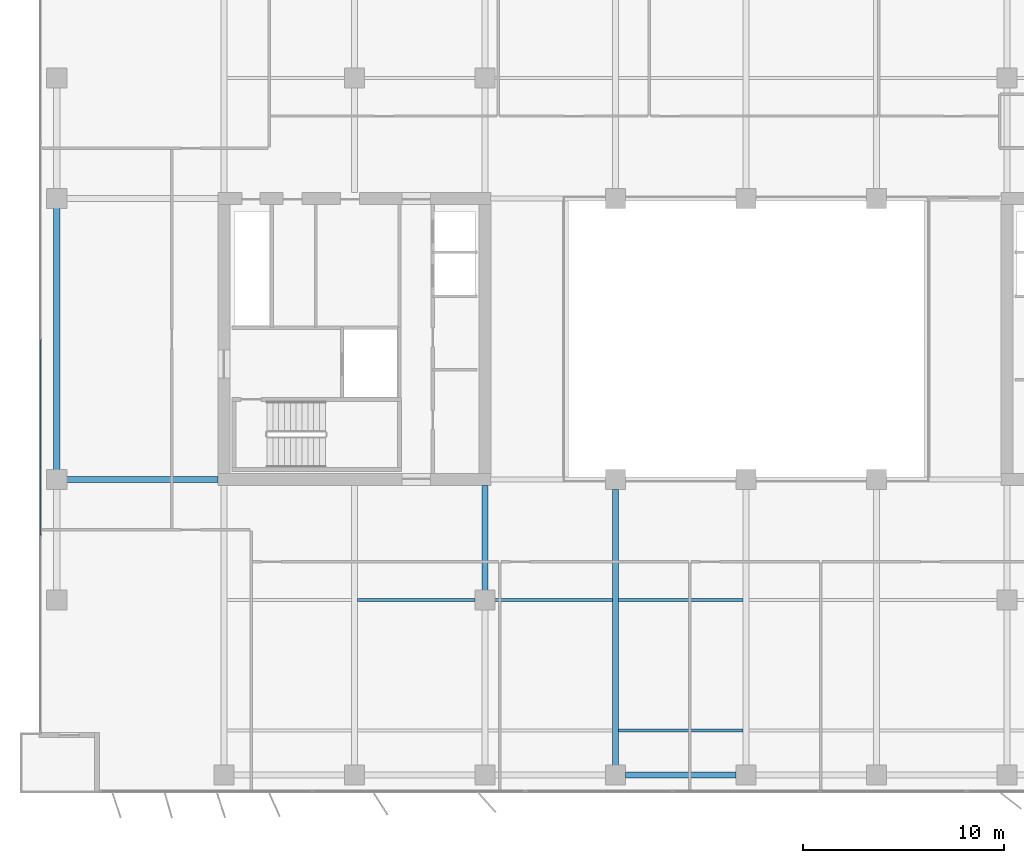
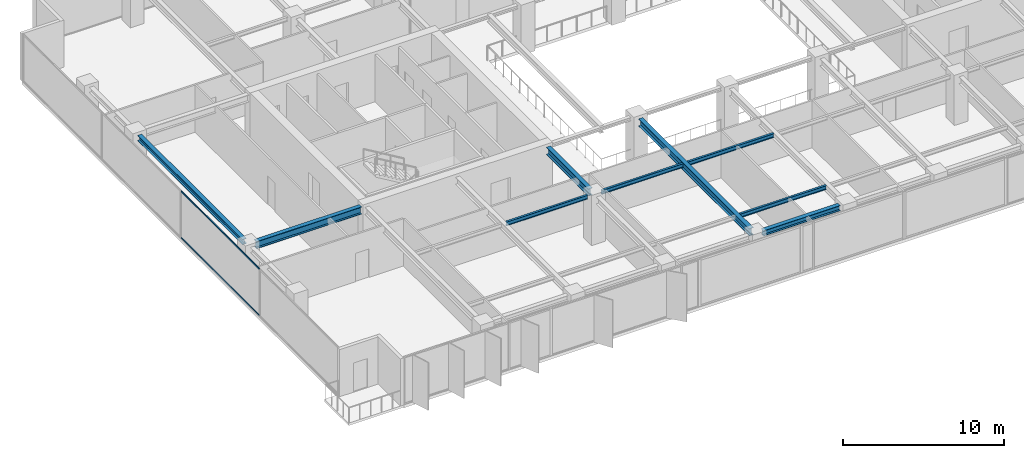
# One storey, part 3 of 22: 9 beams, 2 members, 1 element without a shape of its own.
"""IFC4 building model written with IfcOpenShell, lengths in metres."""

from ifc_helpers import new_model, si_unit, direction, frame, origin, origin_2d, place, context, subcontext, project, spatial, rectangle, i_section, extrude, material, layer, layer_set, material_profile, profile_set, type_object, element, aggregate, save


model = new_model("IFC4")

# Units and contexts
model_context = context("Model", 3, precision=1e-05, world=origin(), true_north=direction((0.0, 1.0)))
body_context = subcontext(model_context, "Body", "Model", "MODEL_VIEW")
ifc_project = project(units=[si_unit("LENGTHUNIT", "METRE"), si_unit("AREAUNIT", "SQUARE_METRE"), si_unit("VOLUMEUNIT", "CUBIC_METRE"), si_unit("PLANEANGLEUNIT", "RADIAN"), si_unit("MASSUNIT", "GRAM", prefix="KILO")], contexts=[model_context])

# Site, building, storey
site_placement = place(None, origin())
site = spatial("IfcSite", under=ifc_project, at=site_placement, CompositionType="ELEMENT")
building_placement = place(site_placement, origin())
building = spatial("IfcBuilding", under=site, at=building_placement, Name="Putna Gate Headquarters", CompositionType="ELEMENT")
storey_placement = place(building_placement, frame((0.0, 0.0, 167.0)))
storey = spatial("IfcBuildingStorey", under=building, at=storey_placement, Name="L41", CompositionType="ELEMENT", Elevation=167.0)

# Beams
ifc_material_1 = material(Name="Steel S355J2", Category="steel")
ifc_material_profile_1 = material_profile(ifc_material_1, i_section(OverallWidth=0.300048828125, OverallDepth=0.550048828125, WebThickness=0.014892578125, FlangeThickness=0.029052734375, at=origin_2d()), Name="Steel S355J2")
ifc_profile_set_1 = profile_set([ifc_material_profile_1], Name="Steel S355J2")
beam_type_1 = type_object("IfcBeamType", Name="BM-GIRD-Z3-HEB550", PredefinedType="USERDEFINED", material=ifc_profile_set_1)
beam_1_placement = place(storey_placement, frame((5.16796875, 19.0, 3.297119140625), z_axis=(1.0, 0.0, 0.0), x_axis=(0.0, 1.0, 0.0)))
element("IfcBeam", 1, at=beam_1_placement, inside=storey, type_object=beam_type_1, Name="L41 West Wing Girder Y19", ObjectType="GIRDER", PredefinedType="USERDEFINED", context=body_context, shape_type="SweptSolid", body=[
    extrude(i_section(OverallWidth=0.300048828125, OverallDepth=0.550048828125, WebThickness=0.014892578125, FlangeThickness=0.029052734375, at=origin_2d()), origin(), (0.0, 0.0, 1.0), 7.547119140625),
])
beam_2_placement = place(storey_placement, frame((26.0, 13.488037109375, 3.297119140625), z_axis=(0.0, 1.0, 0.0), x_axis=(-1.0, 0.0, 0.0)))
element("IfcBeam", 2, at=beam_2_placement, inside=storey, type_object=beam_type_1, Name="L41 South Primary Girder X26-2", ObjectType="GIRDER", PredefinedType="USERDEFINED", context=body_context, shape_type="SweptSolid", body=[
    extrude(i_section(OverallWidth=0.300048828125, OverallDepth=0.550048828125, WebThickness=0.014892578125, FlangeThickness=0.029052734375, at=origin_2d()), origin(), (0.0, 0.0, 1.0), 5.22705078125),
])
beam_3_placement = place(storey_placement, frame((32.5, 4.76806640625, 3.297119140625), z_axis=(0.0, 1.0, 0.0), x_axis=(-1.0, 0.0, 0.0)))
element("IfcBeam", 3, at=beam_3_placement, inside=storey, type_object=beam_type_1, Name="L41 South Primary Girder X32", ObjectType="GIRDER", PredefinedType="USERDEFINED", context=body_context, shape_type="SweptSolid", body=[
    extrude(i_section(OverallWidth=0.300048828125, OverallDepth=0.550048828125, WebThickness=0.014892578125, FlangeThickness=0.029052734375, at=origin_2d()), origin(), (0.0, 0.0, 1.0), 13.743896484375),
])
ifc_material_profile_2 = material_profile(ifc_material_1, i_section(OverallWidth=0.14990234375, OverallDepth=0.300048828125, WebThickness=0.007080078125, FlangeThickness=0.0107421875, at=origin_2d()), Name="Steel S355J2")
ifc_profile_set_2 = profile_set([ifc_material_profile_2], Name="Steel S355J2")
beam_type_2 = type_object("IfcBeamType", Name="BM-SEC-Z3-IPE300", PredefinedType="JOIST", material=ifc_profile_set_2)
for number, where, z_axis, x_axis, name in (
    (4, (19.654052734375, 13.0, 3.422119140625), (1.0, 0.0, 0.0), (0.0, 1.0, 0.0), "L41 South Secondary Beam 2"),
    (5, (26.488037109375, 13.0, 3.422119140625), (1.0, 0.0, 0.0), (0.0, 1.0, 0.0), "L41 South Secondary Beam 3"),
):
    element("IfcBeam", number, at=place(storey_placement, frame(where, z_axis=z_axis, x_axis=x_axis)), inside=storey, type_object=beam_type_2, Name=name, PredefinedType="JOIST", context=body_context, shape_type="SweptSolid", body=[
        extrude(i_section(OverallWidth=0.14990234375, OverallDepth=0.300048828125, WebThickness=0.007080078125, FlangeThickness=0.0107421875, at=origin_2d()), origin(), (0.0, 0.0, 1.0), 5.85791015625),
    ])
for number, where, z_axis, x_axis, name in (
    (6, (32.654052734375, 6.5, 3.422119140625), (1.0, 0.0, 0.0), (0.0, 1.0, 0.0), "L41 South Secondary Beam 4"),
    (7, (32.654052734375, 13.0, 3.422119140625), (1.0, 0.0, 0.0), (0.0, 1.0, 0.0), "L41 South Secondary Beam 4"),
):
    element("IfcBeam", number, at=place(storey_placement, frame(where, z_axis=z_axis, x_axis=x_axis)), inside=storey, type_object=beam_type_2, Name=name, PredefinedType="JOIST", context=body_context, shape_type="SweptSolid", body=[
        extrude(i_section(OverallWidth=0.14990234375, OverallDepth=0.300048828125, WebThickness=0.007080078125, FlangeThickness=0.0107421875, at=origin_2d()), origin(), (0.0, 0.0, 1.0), 6.19189453125),
    ])
ifc_material_profile_3 = material_profile(ifc_material_1, i_section(OverallWidth=0.300048828125, OverallDepth=0.39990234375, WebThickness=0.013427734375, FlangeThickness=0.02392578125, at=origin_2d()), Name="Steel S355J2")
ifc_profile_set_3 = profile_set([ifc_material_profile_3], Name="Steel S355J2")
beam_type_3 = type_object("IfcBeamType", Name="BM-SPAN-Z3-HEB400", PredefinedType="SPANDREL", material=ifc_profile_set_3)
beam_4_placement = place(storey_placement, frame((32.988037109375, 4.280029296875, 3.3720703125), z_axis=(1.0, 0.0, 0.0), x_axis=(0.0, 1.0, 0.0)))
element("IfcBeam", 8, at=beam_4_placement, inside=storey, type_object=beam_type_3, Name="L41 S Perimeter Spandrel 4", PredefinedType="SPANDREL", context=body_context, shape_type="SweptSolid", body=[
    extrude(i_section(OverallWidth=0.300048828125, OverallDepth=0.39990234375, WebThickness=0.013427734375, FlangeThickness=0.02392578125, at=origin_2d()), origin(), (0.0, 0.0, 1.0), 5.52392578125),
])
beam_5_placement = place(storey_placement, frame((4.679931640625, 19.488037109375, 3.3720703125), z_axis=(0.0, 1.0, 0.0), x_axis=(-1.0, 0.0, 0.0)))
element("IfcBeam", 9, at=beam_5_placement, inside=storey, type_object=beam_type_3, Name="L41 W End Spandrel 2", PredefinedType="SPANDREL", context=body_context, shape_type="SweptSolid", body=[
    extrude(i_section(OverallWidth=0.300048828125, OverallDepth=0.39990234375, WebThickness=0.013427734375, FlangeThickness=0.02392578125, at=origin_2d()), origin(), (0.0, 0.0, 1.0), 13.02392578125),
])

# Curtain wall, members
ifc_material_2 = material(Name="Anodised bronze aluminium curtain wall", Category="aluminium")
ifc_layer = layer(ifc_material_2, 0.159912109375)
ifc_layer_set = layer_set([ifc_layer], Name="Anodised bronze aluminium curtain wall")
curtain_wall_type = type_object("IfcCurtainWallType", Name="CW-SYS-Z3", PredefinedType="USERDEFINED", material=ifc_layer_set)
curtain_wall_placement = place(storey_placement, origin())
curtain_wall = element("IfcCurtainWall", 10, at=curtain_wall_placement, inside=storey, type_object=curtain_wall_type, Name="L41 West Curtain Wall", ObjectType="STICK CURTAIN WALL", PredefinedType="USERDEFINED")
ifc_material_3 = material(Name="Anodised bronze aluminium EN AW-6060", Category="aluminium")
ifc_material_profile_4 = material_profile(ifc_material_3, rectangle(XDim=0.06005859375, YDim=0.10009765625, at=origin_2d()), Name="Anodised bronze aluminium EN AW-6060")
ifc_profile_set_4 = profile_set([ifc_material_profile_4], Name="Anodised bronze aluminium EN AW-6060")
member_type = type_object("IfcMemberType", Name="TRAN-CWT-3", PredefinedType="USERDEFINED", material=ifc_profile_set_4)
member_1_placement = place(storey_placement, frame((3.8798828125, 16.232421875, 0.030029296875), z_axis=(0.0, 1.0, 0.0), x_axis=(-1.0, 0.0, 0.0)))
member_1 = element("IfcMember", 11, at=member_1_placement, type_object=member_type, Name="CWS-3 transom 2.1", ObjectType="TRANSOM", PredefinedType="USERDEFINED", context=body_context, shape_type="SweptSolid", body=[
    extrude(rectangle(XDim=0.06005859375, YDim=0.10009765625, at=origin_2d()), origin(), (0.0, 0.0, 1.0), 9.735107421875),
])
member_2_placement = place(storey_placement, frame((3.8798828125, 16.232421875, 3.5419921875), z_axis=(0.0, 1.0, 0.0), x_axis=(-1.0, 0.0, 0.0)))
member_2 = element("IfcMember", 12, at=member_2_placement, type_object=member_type, Name="CWS-3 transom 2.2", ObjectType="TRANSOM", PredefinedType="USERDEFINED", context=body_context, shape_type="SweptSolid", body=[
    extrude(rectangle(XDim=0.06005859375, YDim=0.10009765625, at=origin_2d()), origin(), (0.0, 0.0, 1.0), 9.735107421875),
])
aggregate(curtain_wall, [member_1, member_2])

save(model, "model.ifc")
